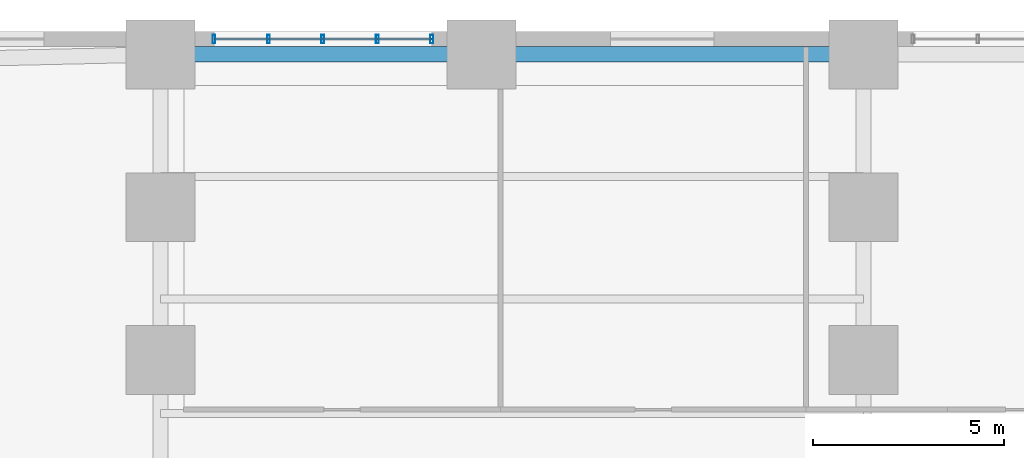
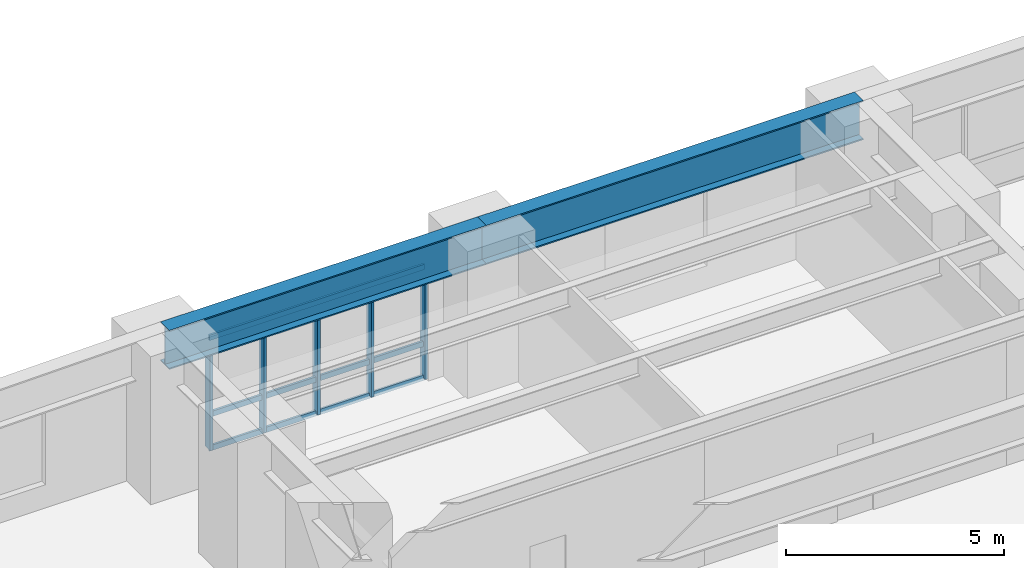
# One storey, part 2 of 11: 8 members, 2 beams, 1 element without a shape of its own.
"""IFC4 building model written with IfcOpenShell, lengths in metres."""

from ifc_helpers import new_model, si_unit, direction, frame, origin, origin_2d, place, context, subcontext, project, spatial, hollow_rectangle, i_section, extrude, source, transform, mapped, material, layer, layer_set, material_profile, profile_set, type_object, element, aggregate, save


model = new_model("IFC4")

# Units and contexts
model_context = context("Model", 3, precision=1e-05, world=origin(), true_north=direction((0.0, 1.0)))
body_context = subcontext(model_context, "Body", "Model", "MODEL_VIEW")
ifc_project = project(units=[si_unit("LENGTHUNIT", "METRE"), si_unit("AREAUNIT", "SQUARE_METRE"), si_unit("VOLUMEUNIT", "CUBIC_METRE"), si_unit("PLANEANGLEUNIT", "RADIAN"), si_unit("MASSUNIT", "GRAM", prefix="KILO")], contexts=[model_context])

# Site, building, storey
site_placement = place(None, origin())
site = spatial("IfcSite", under=ifc_project, at=site_placement, CompositionType="ELEMENT")
building_placement = place(site_placement, origin())
building = spatial("IfcBuilding", under=site, at=building_placement, Name="Kharzan Plaza Tower", CompositionType="ELEMENT")
storey_placement = place(building_placement, frame((0.0, 0.0, 13.5)))
storey = spatial("IfcBuildingStorey", under=building, at=storey_placement, Name="L03", CompositionType="ELEMENT", Elevation=13.5)

# Beams
ifc_material_1 = material(Name="Steel S355", Category="steel")
ifc_material_profile_1 = material_profile(ifc_material_1, i_section(OverallWidth=0.39990234375, OverallDepth=1.10009765625, WebThickness=0.02001953125, FlangeThickness=0.035888671875, at=origin_2d()), Name="W1100x390")
ifc_profile_set_1 = profile_set([ifc_material_profile_1], Name="Steel S355")
beam_type = type_object("IfcBeamType", Name="BM-PG1100B", PredefinedType="BEAM", material=ifc_profile_set_1)
shared_shape_1 = source(origin(), body_context, "Body", "SweptSolid", [
    extrude(i_section(OverallWidth=0.39990234375, OverallDepth=1.10009765625, WebThickness=0.02001953125, FlangeThickness=0.035888671875, at=origin_2d()), origin(), (0.0, 0.0, 1.0), 10.0),
])
beam_1_placement = place(storey_placement, frame((9.0, 49.39990234375, 3.60009765625), z_axis=(1.0, 0.0, 0.0), x_axis=(0.0, 1.0, 0.0)))
element("IfcBeam", 1, at=beam_1_placement, inside=storey, type_object=beam_type, Name="L03 Podium Primary Girder PG-10", PredefinedType="BEAM", context=body_context, shape_type="MappedRepresentation", body=[
    mapped(shared_shape_1, transform((0.0, 0.0, 0.0), x_axis=(1.0, 0.0, 0.0), y_axis=(0.0, 1.0, 0.0), z_axis=(0.0, 0.0, 1.0))),
])
shared_shape_2 = source(origin(), body_context, "Body", "SweptSolid", [
    extrude(i_section(OverallWidth=0.39990234375, OverallDepth=1.10009765625, WebThickness=0.02001953125, FlangeThickness=0.035888671875, at=origin_2d()), origin(), (0.0, 0.0, 1.0), 8.39990234375),
])
beam_2_placement = place(storey_placement, frame((0.60009765625, 49.39990234375, 3.60009765625), z_axis=(1.0, 0.0, 0.0), x_axis=(0.0, 1.0, 0.0)))
element("IfcBeam", 2, at=beam_2_placement, inside=storey, type_object=beam_type, Name="L03 Podium Primary Girder PG-9", PredefinedType="BEAM", context=body_context, shape_type="MappedRepresentation", body=[
    mapped(shared_shape_2, transform((0.0, 0.0, 0.0), x_axis=(1.0, 0.0, 0.0), y_axis=(0.0, 1.0, 0.0), z_axis=(0.0, 0.0, 1.0))),
])

# Curtain wall, members
ifc_material_2 = material(Name="Unitised Bronze-Anodized Aluminium and Low-E Glass", Category="aluminium")
ifc_layer = layer(ifc_material_2, 0.199951171875)
ifc_layer_set = layer_set([ifc_layer], Name="Unitised Bronze-Anodized Aluminium and Low-E Glass")
curtain_wall_type = type_object("IfcCurtainWallType", Name="CW-PODIUM-1", PredefinedType="NOTDEFINED", material=ifc_layer_set)
curtain_wall_placement = place(storey_placement, origin())
curtain_wall = element("IfcCurtainWall", 3, at=curtain_wall_placement, inside=storey, type_object=curtain_wall_type, Name="L03 Podium West Gallery Curtain Wall", PredefinedType="NOTDEFINED")
ifc_material_3 = material(Name="Anodized Bronze Aluminium", Category="aluminium")
ifc_material_profile_2 = material_profile(ifc_material_3, hollow_rectangle(XDim=0.074951171875, YDim=0.219970703125, WallThickness=0.00390625, at=origin_2d()), Name="ALU-M220x75x4")
ifc_profile_set_2 = profile_set([ifc_material_profile_2], Name="Anodized Bronze Aluminium")
member_type_1 = type_object("IfcMemberType", Name="MEM-CW-MUL200", PredefinedType="MULLION", material=ifc_profile_set_2)
shared_shape_3 = source(origin(), body_context, "Body", "SweptSolid", [
    extrude(hollow_rectangle(XDim=0.074951171875, YDim=0.219970703125, WallThickness=0.00390625, at=origin_2d()), origin(), (0.0, 0.0, 1.0), 3.10009765625),
])
member_1_placement = place(storey_placement, frame((2.0, 49.800048828125, 0.0), z_axis=(0.0, 0.0, 1.0), x_axis=(1.0, 0.0, 0.0)))
member_1 = element("IfcMember", 4, at=member_1_placement, type_object=member_type_1, Name="L03 Curtain-Wall Mullion 00", PredefinedType="MULLION", context=body_context, shape_type="MappedRepresentation", body=[
    mapped(shared_shape_3, transform((0.0, 0.0, 0.0), x_axis=(1.0, 0.0, 0.0), y_axis=(0.0, 1.0, 0.0), z_axis=(0.0, 0.0, 1.0))),
])
member_2_placement = place(storey_placement, frame((3.425048828125, 49.800048828125, 0.0), z_axis=(0.0, 0.0, 1.0), x_axis=(1.0, 0.0, 0.0)))
member_2 = element("IfcMember", 5, at=member_2_placement, type_object=member_type_1, Name="L03 Curtain-Wall Mullion 01", PredefinedType="MULLION", context=body_context, shape_type="MappedRepresentation", body=[
    mapped(shared_shape_3, transform((0.0, 0.0, 0.0), x_axis=(1.0, 0.0, 0.0), y_axis=(0.0, 1.0, 0.0), z_axis=(0.0, 0.0, 1.0))),
])
member_3_placement = place(storey_placement, frame((4.85009765625, 49.800048828125, 0.0), z_axis=(0.0, 0.0, 1.0), x_axis=(1.0, 0.0, 0.0)))
member_3 = element("IfcMember", 6, at=member_3_placement, type_object=member_type_1, Name="L03 Curtain-Wall Mullion 02", PredefinedType="MULLION", context=body_context, shape_type="MappedRepresentation", body=[
    mapped(shared_shape_3, transform((0.0, 0.0, 0.0), x_axis=(1.0, 0.0, 0.0), y_axis=(0.0, 1.0, 0.0), z_axis=(0.0, 0.0, 1.0))),
])
member_4_placement = place(storey_placement, frame((6.27490234375, 49.800048828125, 0.0), z_axis=(0.0, 0.0, 1.0), x_axis=(1.0, 0.0, 0.0)))
member_4 = element("IfcMember", 7, at=member_4_placement, type_object=member_type_1, Name="L03 Curtain-Wall Mullion 03", PredefinedType="MULLION", context=body_context, shape_type="MappedRepresentation", body=[
    mapped(shared_shape_3, transform((0.0, 0.0, 0.0), x_axis=(1.0, 0.0, 0.0), y_axis=(0.0, 1.0, 0.0), z_axis=(0.0, 0.0, 1.0))),
])
member_5_placement = place(storey_placement, frame((7.699951171875, 49.800048828125, 0.0), z_axis=(0.0, 0.0, 1.0), x_axis=(1.0, 0.0, 0.0)))
member_5 = element("IfcMember", 8, at=member_5_placement, type_object=member_type_1, Name="L03 Curtain-Wall Mullion 04", PredefinedType="MULLION", context=body_context, shape_type="MappedRepresentation", body=[
    mapped(shared_shape_3, transform((0.0, 0.0, 0.0), x_axis=(1.0, 0.0, 0.0), y_axis=(0.0, 1.0, 0.0), z_axis=(0.0, 0.0, 1.0))),
])
ifc_material_profile_3 = material_profile(ifc_material_3, hollow_rectangle(XDim=0.06005859375, YDim=0.14990234375, WallThickness=0.00341796875, at=origin_2d()), Name="ALU-T150x60x3.5")
ifc_profile_set_3 = profile_set([ifc_material_profile_3], Name="Anodized Bronze Aluminium")
member_type_2 = type_object("IfcMemberType", Name="MEM-CW-TRN150", PredefinedType="USERDEFINED", material=ifc_profile_set_3)
shared_shape_4 = source(origin(), body_context, "Body", "SweptSolid", [
    extrude(hollow_rectangle(XDim=0.06005859375, YDim=0.14990234375, WallThickness=0.00341796875, at=origin_2d()), origin(), (0.0, 0.0, 1.0), 5.699951171875),
])
member_6_placement = place(storey_placement, frame((2.0, 49.800048828125, 0.0), z_axis=(1.0, 0.0, 0.0), x_axis=(0.0, 1.0, 0.0)))
member_6 = element("IfcMember", 9, at=member_6_placement, type_object=member_type_2, Name="L03 Curtain-Wall Transom 1", ObjectType="TRANSOM", PredefinedType="USERDEFINED", context=body_context, shape_type="MappedRepresentation", body=[
    mapped(shared_shape_4, transform((0.0, 0.0, 0.0), x_axis=(1.0, 0.0, 0.0), y_axis=(0.0, 1.0, 0.0), z_axis=(0.0, 0.0, 1.0))),
])
member_7_placement = place(storey_placement, frame((2.0, 49.800048828125, 0.949951171875), z_axis=(1.0, 0.0, 0.0), x_axis=(0.0, 1.0, 0.0)))
member_7 = element("IfcMember", 10, at=member_7_placement, type_object=member_type_2, Name="L03 Curtain-Wall Transom 2", ObjectType="TRANSOM", PredefinedType="USERDEFINED", context=body_context, shape_type="MappedRepresentation", body=[
    mapped(shared_shape_4, transform((0.0, 0.0, 0.0), x_axis=(1.0, 0.0, 0.0), y_axis=(0.0, 1.0, 0.0), z_axis=(0.0, 0.0, 1.0))),
])
member_8_placement = place(storey_placement, frame((2.0, 49.800048828125, 3.10009765625), z_axis=(1.0, 0.0, 0.0), x_axis=(0.0, 1.0, 0.0)))
member_8 = element("IfcMember", 11, at=member_8_placement, type_object=member_type_2, Name="L03 Curtain-Wall Transom 3", ObjectType="TRANSOM", PredefinedType="USERDEFINED", context=body_context, shape_type="MappedRepresentation", body=[
    mapped(shared_shape_4, transform((0.0, 0.0, 0.0), x_axis=(1.0, 0.0, 0.0), y_axis=(0.0, 1.0, 0.0), z_axis=(0.0, 0.0, 1.0))),
])
aggregate(curtain_wall, [member_1, member_2, member_3, member_4, member_5, member_6, member_7, member_8])

save(model, "model.ifc")
